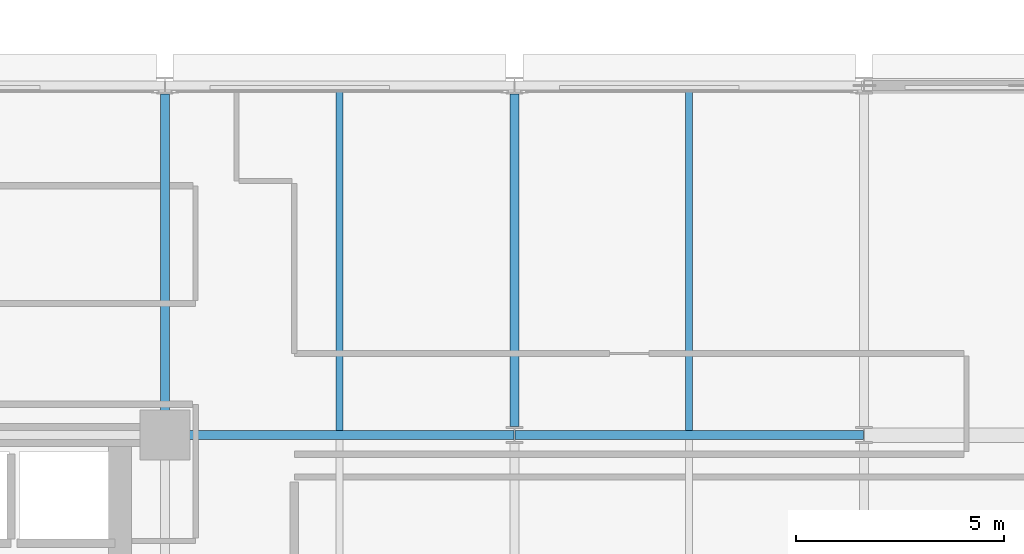
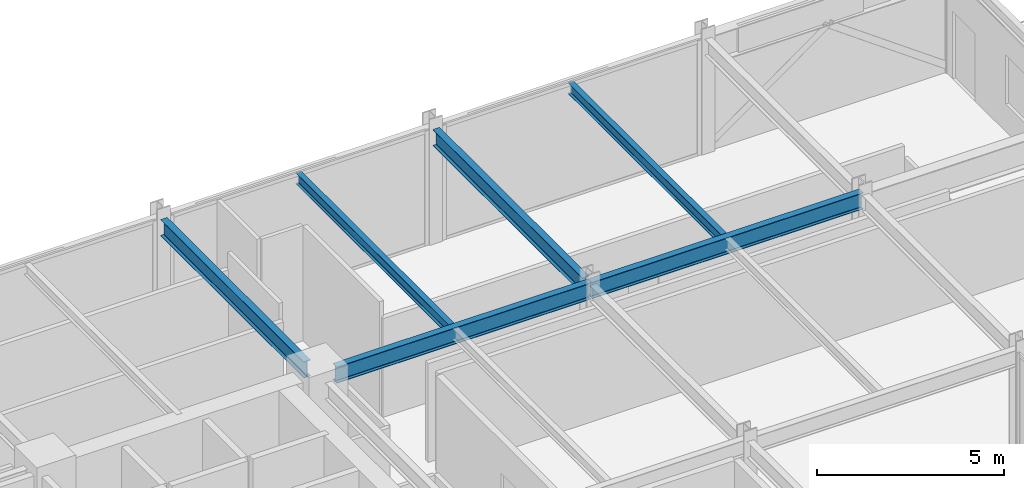
# One storey, part 19 of 40: 6 beams.
"""IFC4 building model written with IfcOpenShell, lengths in metres."""

import ifcopenshell
import ifcopenshell.guid

model = None  # the IFC model being written
_history = None  # IfcOwnerHistory: only IFC2X3 demands one
_inside = {}  # id of a spatial element -> (the spatial element, [elements in it])
_under = {}  # id of a project, library or spatial element -> (it, [spatial elements below it])
_declared = {}  # id of a project -> (the project, [libraries it declares])
_typed = {}  # id of a type object -> (the type object, [elements of that type])
_made_of = {}  # id of a material, layer set ... -> (it, [elements and type objects made of it])


def new_model(schema):
    """Start an empty IFC model of exactly this schema.

    Asked for "IFC4X3", IfcOpenShell would pick the latest addendum, in which some entities
    have other attributes; the version numbers below select the first issue.
    IFC2X3 requires an IfcOwnerHistory on every rooted entity: one is made here for all.
    """
    global model, _history
    if schema == "IFC4X3":
        model = ifcopenshell.file(schema_version=(4, 3, 0, 0))
    else:
        model = ifcopenshell.file(schema=schema)
    _inside.clear()
    _under.clear()
    _declared.clear()
    _typed.clear()
    _made_of.clear()
    _history = None
    if model.schema == "IFC2X3":
        org = make("IfcOrganization", Name="unknown")
        user = make(
            "IfcPersonAndOrganization",
            ThePerson=make("IfcPerson", FamilyName="unknown"),
            TheOrganization=org,
        )
        app = make(
            "IfcApplication",
            ApplicationDeveloper=org,
            Version="unknown",
            ApplicationFullName="unknown",
            ApplicationIdentifier="unknown",
        )
        _history = make(
            "IfcOwnerHistory",
            OwningUser=user,
            OwningApplication=app,
            ChangeAction="ADDED",
            CreationDate=0,
        )
    return model


def make(cls, **values):
    """One entity of the class cls with the attributes given. An attribute that is None is left unset."""
    return model.create_entity(
        cls, **{name: value for name, value in values.items() if value is not None}
    )


def rooted(cls, **values):
    """An entity with a GlobalId (a new one), such as an element, a storey or a relation."""
    return make(cls, GlobalId=ifcopenshell.guid.new(), OwnerHistory=_history, **values)


def si_unit(unit_type, name, prefix=None):
    """IfcSIUnit, for example si_unit("LENGTHUNIT", "METRE", prefix="MILLI")."""
    return make("IfcSIUnit", UnitType=unit_type, Prefix=prefix, Name=name)


def assignment(units):
    """IfcUnitAssignment: the units of a project."""
    return None if units is None else make("IfcUnitAssignment", Units=units)


def point(xyz):
    """IfcCartesianPoint."""
    return None if xyz is None else make("IfcCartesianPoint", Coordinates=xyz)


def direction(xyz):
    """IfcDirection."""
    return None if xyz is None else make("IfcDirection", DirectionRatios=xyz)


def frame(location, z_axis=None, x_axis=None):
    """IfcAxis2Placement3D, a coordinate frame: its origin and axes. An axis left out is left unset."""
    return make(
        "IfcAxis2Placement3D",
        Location=point(location),
        Axis=direction(z_axis),
        RefDirection=direction(x_axis),
    )


def frame_2d(location, x_axis=None):
    """IfcAxis2Placement2D, a coordinate frame in the plane: its origin and x axis."""
    return make(
        "IfcAxis2Placement2D", Location=point(location), RefDirection=direction(x_axis)
    )


def origin():
    """The frame at (0, 0, 0) with its axes left unset."""
    return frame((0.0, 0.0, 0.0))


def origin_2d():
    """The frame at (0, 0) in the plane with its x axis left unset."""
    return frame_2d((0.0, 0.0))


def place(relative_to, where):
    """IfcLocalPlacement: puts the frame where relative to a parent placement (None: the world)."""
    return make(
        "IfcLocalPlacement", PlacementRelTo=relative_to, RelativePlacement=where
    )


def context(
    kind, dimensions, precision=None, world=None, true_north=None, identifier=None
):
    """IfcGeometricRepresentationContext, for example the 3D "Model" context."""
    return make(
        "IfcGeometricRepresentationContext",
        ContextIdentifier=identifier,
        ContextType=kind,
        CoordinateSpaceDimension=dimensions,
        Precision=precision,
        WorldCoordinateSystem=world,
        TrueNorth=true_north,
    )


def subcontext(parent, identifier, kind, view, scale=None):
    """IfcGeometricRepresentationSubContext, for example "Body" below "Model"."""
    return make(
        "IfcGeometricRepresentationSubContext",
        ContextIdentifier=identifier,
        ContextType=kind,
        ParentContext=parent,
        TargetScale=scale,
        TargetView=view,
    )


def project(units=None, contexts=None):
    """IfcProject with its units and contexts."""
    return rooted(
        "IfcProject",
        Name="project",
        RepresentationContexts=contexts,
        UnitsInContext=assignment(units),
    )


def spatial(cls, under=None, at=None, **own):
    """A site, building, storey or space (cls), placed at a placement, below another one or the project."""
    s = rooted(cls, ObjectPlacement=at, **own)
    if under is not None:
        _under.setdefault(under.id(), (under, []))[1].append(s)
    return s


def profile(cls, at=None, kind="AREA", **sizes):
    """A parametric profile (cls). Its sizes go by their IFC names, for example OverallWidth=200.0."""
    return make(cls, ProfileType=kind, Position=at, **sizes)


def i_section(**sizes):
    """IfcIShapeProfileDef."""
    return profile("IfcIShapeProfileDef", **sizes)


def extrude(swept, where, along, depth):
    """IfcExtrudedAreaSolid: the profile swept, set in the frame where, extruded along a direction by depth."""
    return make(
        "IfcExtrudedAreaSolid",
        SweptArea=swept,
        Position=where,
        ExtrudedDirection=direction(along),
        Depth=depth,
    )


def shape(context_of_items, identifier, shape_type, items):
    """IfcShapeRepresentation: the items that make up one representation, for example the "Body"."""
    return make(
        "IfcShapeRepresentation",
        ContextOfItems=context_of_items,
        RepresentationIdentifier=identifier,
        RepresentationType=shape_type,
        Items=items,
    )


def material(Name=None, Category=None):
    """IfcMaterial."""
    return make("IfcMaterial", Name=Name, Category=Category)


def material_profile(
    of_material, cross_section, Name=None, Category=None, Priority=None
):
    """IfcMaterialProfile: a cross section and its material."""
    return make(
        "IfcMaterialProfile",
        Name=Name,
        Material=of_material,
        Profile=cross_section,
        Priority=Priority,
        Category=Category,
    )


def profile_set(profiles, Name=None, composite=None):
    """IfcMaterialProfileSet."""
    return make(
        "IfcMaterialProfileSet",
        Name=Name,
        MaterialProfiles=profiles,
        CompositeProfile=composite,
    )


def made_of(thing, what):
    """Note that an element or type object is made of a material, layer set ...; save() writes the relation."""
    if what is not None:
        _made_of.setdefault(what.id(), (what, []))[1].append(thing)
    return thing


def type_object(cls, material=None, **own):
    """A type object (cls), such as IfcWallType, which elements share."""
    return made_of(rooted(cls, **own), material)


def element(
    cls,
    number,
    at=None,
    inside=None,
    cuts=None,
    type_object=None,
    material=None,
    context=None,
    identifier="Body",
    shape_type=None,
    held_by="IfcProductDefinitionShape",
    body=None,
    shapes=None,
    **own,
):
    """One element of the class cls, such as IfcWall. Its Tag is "e" and its number.

    at: its placement. inside: the storey or other place that contains it. cuts: it is an
    opening in that element (IfcRelVoidsElement). A single representation is given by context,
    identifier, shape_type and body (its items); several are given by shapes. held_by: the class
    of the entity that holds the representations. save() writes the other relations.
    """
    e = rooted(cls, Tag="e%d" % number, ObjectPlacement=at, **own)
    if body is not None:
        shapes = [shape(context, identifier, shape_type, body)]
    if shapes is not None:
        e.Representation = make(held_by, Representations=shapes)
    if inside is not None:
        _inside.setdefault(inside.id(), (inside, []))[1].append(e)
    if cuts is not None:
        rooted(
            "IfcRelVoidsElement", RelatingBuildingElement=cuts, RelatedOpeningElement=e
        )
    if type_object is not None:
        _typed.setdefault(type_object.id(), (type_object, []))[1].append(e)
    return made_of(e, material)


def aggregate(whole, parts):
    """IfcRelAggregates: a whole, such as a stair, and the parts it consists of."""
    return rooted("IfcRelAggregates", RelatingObject=whole, RelatedObjects=parts)


def save(model, path):
    """Write the relations noted so far, then the file.

    IfcRelAggregates (storeys below a building ...), IfcRelContainedInSpatialStructure (elements
    in a storey), IfcRelDefinesByType, IfcRelAssociatesMaterial and IfcRelDeclares: one each for
    every whole, place, type object, material and project.
    """
    for whole, parts in _under.values():
        aggregate(whole, parts)
    for where, things in _inside.values():
        rooted(
            "IfcRelContainedInSpatialStructure",
            RelatedElements=things,
            RelatingStructure=where,
        )
    for kind, things in _typed.values():
        rooted("IfcRelDefinesByType", RelatedObjects=things, RelatingType=kind)
    for what, things in _made_of.values():
        rooted("IfcRelAssociatesMaterial", RelatedObjects=things, RelatingMaterial=what)
    for by, libraries in _declared.values():
        rooted("IfcRelDeclares", RelatingContext=by, RelatedDefinitions=libraries)
    model.write(path)


model = new_model("IFC4")

# Units and contexts
model_context = context("Model", 3, precision=1e-05, world=origin(), true_north=direction((0.0, 1.0)))
body_context = subcontext(model_context, "Body", "Model", "MODEL_VIEW")
ifc_project = project(units=[si_unit("LENGTHUNIT", "METRE"), si_unit("AREAUNIT", "SQUARE_METRE"), si_unit("VOLUMEUNIT", "CUBIC_METRE"), si_unit("PLANEANGLEUNIT", "RADIAN"), si_unit("MASSUNIT", "GRAM", prefix="KILO")], contexts=[model_context])

# Site, building, storey
site_placement = place(None, origin())
site = spatial("IfcSite", under=ifc_project, at=site_placement, CompositionType="ELEMENT")
building_placement = place(site_placement, origin())
building = spatial("IfcBuilding", under=site, at=building_placement, Name="Nerrivon Quay Data Exchange", CompositionType="ELEMENT")
storey_placement = place(building_placement, frame((0.0, 0.0, 109.0)))
storey = spatial("IfcBuildingStorey", under=building, at=storey_placement, Name="L25", CompositionType="ELEMENT", Elevation=109.0)

# Beams
ifc_material = material(Name="Steel Grade 350", Category="steel")
ifc_material_profile_1 = material_profile(ifc_material, i_section(OverallWidth=0.208984375, OverallDepth=0.532958984375, WebThickness=0.01025390625, FlangeThickness=0.015625, FilletRadius=0.013916015625, at=origin_2d()), Name="530UB92.4")
ifc_profile_set_1 = profile_set([ifc_material_profile_1], Name="Steel Grade 350")
beam_type_1 = type_object("IfcBeamType", Name="BM-G3-530UB92", PredefinedType="BEAM", material=ifc_profile_set_1)
beam_1_placement = place(storey_placement, frame((34.139892578125, 16.800048828125, 3.4833984375), z_axis=(1.0, 0.0, 0.0), x_axis=(0.0, 1.0, 0.0)))
element("IfcBeam", 1, at=beam_1_placement, inside=storey, type_object=beam_type_1, Name="L25 EW Girder Y=16.8 (33.6..42.0)", PredefinedType="BEAM", context=body_context, shape_type="SweptSolid", body=[
    extrude(i_section(OverallWidth=0.208984375, OverallDepth=0.532958984375, WebThickness=0.01025390625, FlangeThickness=0.015625, FilletRadius=0.013916015625, at=origin_2d()), origin(), (0.0, 0.0, 1.0), 7.84765625),
])
beam_2_placement = place(storey_placement, frame((42.012451171875, 16.800048828125, 3.4833984375), z_axis=(1.0, 0.0, 0.0), x_axis=(0.0, 1.0, 0.0)))
element("IfcBeam", 2, at=beam_2_placement, inside=storey, type_object=beam_type_1, Name="L25 EW Girder Y=16.8 (42.0..50.4)", PredefinedType="BEAM", context=body_context, shape_type="SweptSolid", body=[
    extrude(i_section(OverallWidth=0.208984375, OverallDepth=0.532958984375, WebThickness=0.01025390625, FlangeThickness=0.015625, FilletRadius=0.013916015625, at=origin_2d()), origin(), (0.0, 0.0, 1.0), 8.375),
])
ifc_material_profile_2 = material_profile(ifc_material, i_section(OverallWidth=0.208984375, OverallDepth=0.528076171875, WebThickness=0.009521484375, FlangeThickness=0.01318359375, FilletRadius=0.013916015625, at=origin_2d()), Name="530UB82.0")
ifc_profile_set_2 = profile_set([ifc_material_profile_2], Name="Steel Grade 350")
beam_type_2 = type_object("IfcBeamType", Name="BM-G4-530UB82", PredefinedType="BEAM", material=ifc_profile_set_2)
beam_3_placement = place(storey_placement, frame((33.60009765625, 17.340087890625, 3.486083984375), z_axis=(0.0, 1.0, 0.0), x_axis=(-1.0, 0.0, 0.0)))
element("IfcBeam", 3, at=beam_3_placement, inside=storey, type_object=beam_type_2, Name="L25 NS Girder X=33.6 (16.8..25.2)", PredefinedType="BEAM", context=body_context, shape_type="SweptSolid", body=[
    extrude(i_section(OverallWidth=0.208984375, OverallDepth=0.528076171875, WebThickness=0.009521484375, FlangeThickness=0.01318359375, FilletRadius=0.013916015625, at=origin_2d()), origin(), (0.0, 0.0, 1.0), 7.659912109375),
])
beam_4_placement = place(storey_placement, frame((42.0, 17.0, 3.486083984375), z_axis=(0.0, 1.0, 0.0), x_axis=(-1.0, 0.0, 0.0)))
element("IfcBeam", 4, at=beam_4_placement, inside=storey, type_object=beam_type_2, Name="L25 NS Girder X=42.0 (16.8..25.2)", PredefinedType="BEAM", context=body_context, shape_type="SweptSolid", body=[
    extrude(i_section(OverallWidth=0.208984375, OverallDepth=0.528076171875, WebThickness=0.009521484375, FlangeThickness=0.01318359375, FilletRadius=0.013916015625, at=origin_2d()), origin(), (0.0, 0.0, 1.0), 8.0),
])
ifc_material_profile_3 = material_profile(ifc_material, i_section(OverallWidth=0.1708984375, OverallDepth=0.35595703125, WebThickness=0.00732421875, FlangeThickness=0.011474609375, FilletRadius=0.011474609375, at=origin_2d()), Name="360UB50.7")
ifc_profile_set_3 = profile_set([ifc_material_profile_3], Name="Steel Grade 350")
beam_type_3 = type_object("IfcBeamType", Name="BM-J4-360UB51", PredefinedType="JOIST", material=ifc_profile_set_3)
for number, where, z_axis, x_axis, name in (
    (5, (37.800048828125, 16.904541015625, 3.572021484375), (0.0, 1.0, 0.0), (-1.0, 0.0, 0.0), "L25 Secondary Joist X=37.8 (16.8..25.2)"),
    (6, (46.199951171875, 16.904541015625, 3.572021484375), (0.0, 1.0, 0.0), (-1.0, 0.0, 0.0), "L25 Secondary Joist X=46.2 (16.8..25.2)"),
):
    element("IfcBeam", number, at=place(storey_placement, frame(where, z_axis=z_axis, x_axis=x_axis)), inside=storey, type_object=beam_type_3, Name=name, PredefinedType="JOIST", context=body_context, shape_type="SweptSolid", body=[
        extrude(i_section(OverallWidth=0.1708984375, OverallDepth=0.35595703125, WebThickness=0.00732421875, FlangeThickness=0.011474609375, FilletRadius=0.011474609375, at=origin_2d()), origin(), (0.0, 0.0, 1.0), 8.19091796875),
    ])

save(model, "model.ifc")
